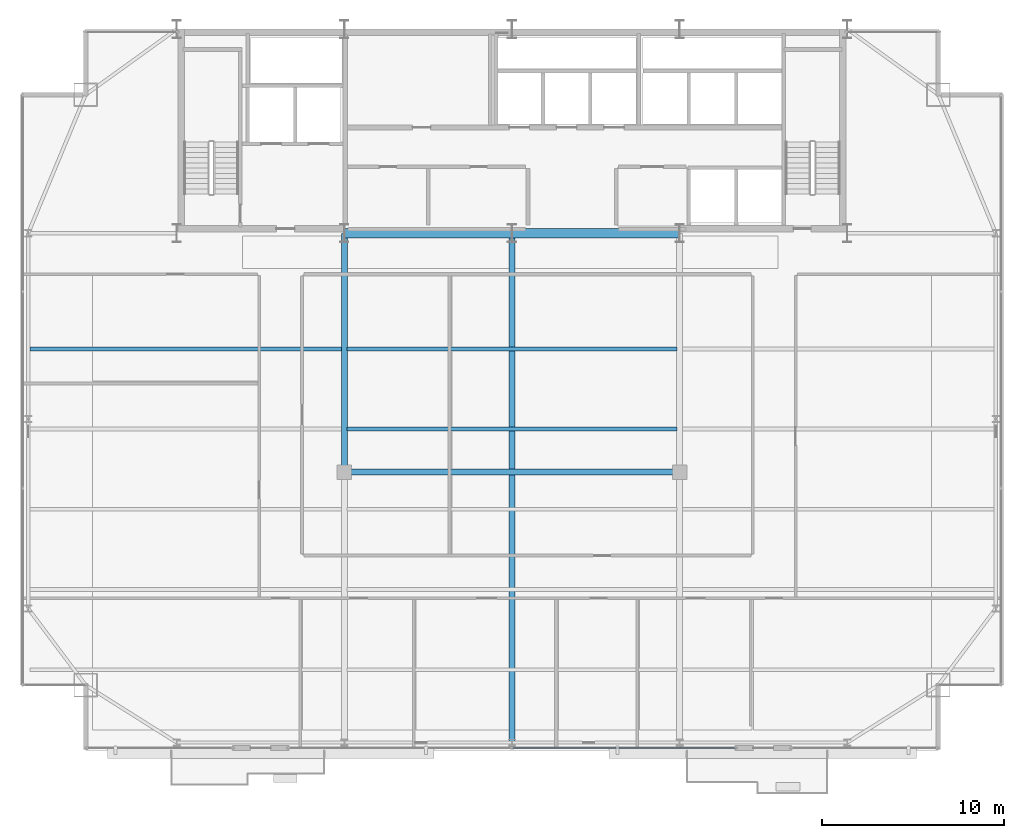
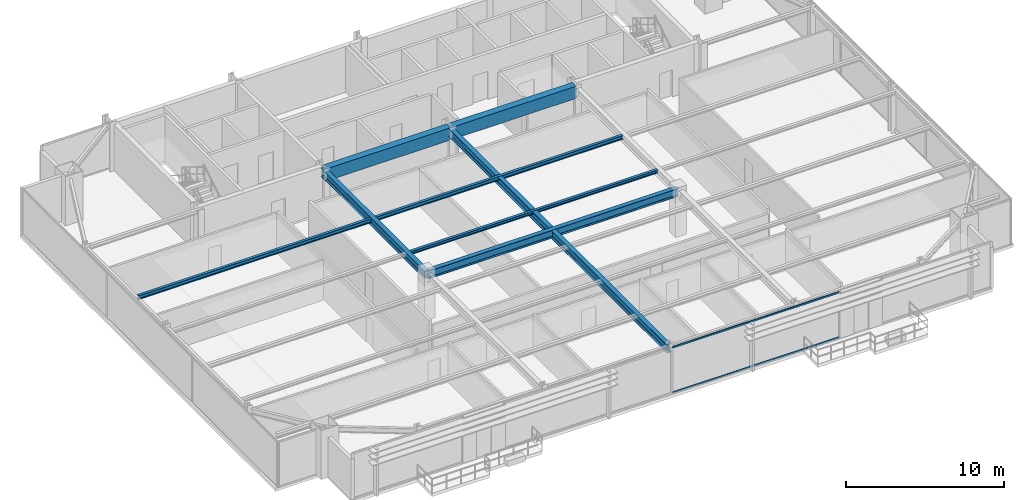
# One storey, part 12 of 30: 8 beams, 2 members, 1 element without a shape of its own.
"""IFC4 building model written with IfcOpenShell, lengths in metres."""

from ifc_helpers import new_model, si_unit, direction, frame, origin, origin_2d, place, context, subcontext, project, spatial, rectangle, hollow_rectangle, i_section, extrude, source, transform, mapped, material, layer, layer_set, material_profile, profile_set, type_object, type_shapes, element, aggregate, save


model = new_model("IFC4")

# Units and contexts
model_context = context("Model", 3, precision=1e-05, world=origin(), true_north=direction((0.0, 1.0)))
body_context = subcontext(model_context, "Body", "Model", "MODEL_VIEW")
ifc_project = project(units=[si_unit("LENGTHUNIT", "METRE"), si_unit("AREAUNIT", "SQUARE_METRE"), si_unit("VOLUMEUNIT", "CUBIC_METRE"), si_unit("PLANEANGLEUNIT", "RADIAN"), si_unit("MASSUNIT", "GRAM", prefix="KILO")], contexts=[model_context])

# Site, building, storey
site_placement = place(None, origin())
site = spatial("IfcSite", under=ifc_project, at=site_placement, CompositionType="ELEMENT")
building_placement = place(site_placement, origin())
building = spatial("IfcBuilding", under=site, at=building_placement, Name="Varnel Quay Broadcast Tower", CompositionType="ELEMENT")
storey_placement = place(building_placement, frame((0.0, 0.0, 168.60009765625)))
storey = spatial("IfcBuildingStorey", under=building, at=storey_placement, Name="L41", CompositionType="ELEMENT", Elevation=168.60009765625)

# Beams
ifc_material_1 = material(Name="Structural Steel CSA G40.21 350W", Category="steel")
ifc_material_profile_1 = material_profile(ifc_material_1, i_section(OverallWidth=0.324951171875, OverallDepth=0.615966796875, WebThickness=0.013916015625, FlangeThickness=0.021484375, FilletRadius=0.01611328125, at=origin_2d()), Name="W610X174")
ifc_profile_set_1 = profile_set([ifc_material_profile_1], Name="Structural Steel CSA G40.21 350W")
beam_type_1 = type_object("IfcBeamType", Name="Girder_W610X174", PredefinedType="BEAM", material=ifc_profile_set_1)
shared_shape_1 = source(origin(), body_context, "Body", "SweptSolid", [
    extrude(i_section(OverallWidth=0.324951171875, OverallDepth=0.615966796875, WebThickness=0.013916015625, FlangeThickness=0.021484375, FilletRadius=0.01611328125, at=origin_2d()), origin(), (0.0, 0.0, 1.0), 13.070068359375),
])
beam_1_placement = place(storey_placement, frame((24.800048828125, 22.510009765625, 3.241943359375), z_axis=(0.0, 1.0, 0.0), x_axis=(-1.0, 0.0, 0.0)))
element("IfcBeam", 1, at=beam_1_placement, inside=storey, type_object=beam_type_1, Name="L41 Primary Girder IC-01-CC-S2", PredefinedType="BEAM", context=body_context, shape_type="MappedRepresentation", body=[
    mapped(shared_shape_1, transform((0.0, 0.0, 0.0), x_axis=(1.0, 0.0, 0.0), y_axis=(0.0, 1.0, 0.0), z_axis=(0.0, 0.0, 1.0), scale=1.0)),
])
shared_shape_2 = source(origin(), body_context, "Body", "SweptSolid", [
    extrude(i_section(OverallWidth=0.324951171875, OverallDepth=0.615966796875, WebThickness=0.013916015625, FlangeThickness=0.021484375, FilletRadius=0.01611328125, at=origin_2d()), origin(), (0.0, 0.0, 1.0), 18.35986328125),
])
beam_2_placement = place(storey_placement, frame((24.820068359375, 22.489990234375, 3.241943359375), z_axis=(1.0, 0.0, 0.0), x_axis=(0.0, 1.0, 0.0)))
element("IfcBeam", 2, at=beam_2_placement, inside=storey, type_object=beam_type_1, Name="L41 Interior Spine Girder", PredefinedType="BEAM", context=body_context, shape_type="MappedRepresentation", body=[
    mapped(shared_shape_2, transform((0.0, 0.0, 0.0), x_axis=(1.0, 0.0, 0.0), y_axis=(0.0, 1.0, 0.0), z_axis=(0.0, 0.0, 1.0), scale=1.0)),
])
shared_shape_3 = source(origin(), body_context, "Body", "SweptSolid", [
    extrude(i_section(OverallWidth=0.324951171875, OverallDepth=0.615966796875, WebThickness=0.013916015625, FlangeThickness=0.021484375, FilletRadius=0.01611328125, at=origin_2d()), origin(), (0.0, 0.0, 1.0), 27.91015625),
])
type_shapes(beam_type_1, [shared_shape_1, shared_shape_2, shared_shape_3])
beam_3_placement = place(storey_placement, frame((34.0, 7.669921875, 3.241943359375), z_axis=(0.0, 1.0, 0.0), x_axis=(-1.0, 0.0, 0.0)))
element("IfcBeam", 3, at=beam_3_placement, inside=storey, type_object=beam_type_1, Name="L41 Central Bay Girder", PredefinedType="BEAM", context=body_context, shape_type="MappedRepresentation", body=[
    mapped(shared_shape_3, transform((0.0, 0.0, 0.0), x_axis=(1.0, 0.0, 0.0), y_axis=(0.0, 1.0, 0.0), z_axis=(0.0, 0.0, 1.0), scale=1.0)),
])
ifc_material_2 = material(Name="Concrete CSA A23.3 C50/60", Category="concrete")
ifc_material_profile_2 = material_profile(ifc_material_2, rectangle(XDim=0.5, YDim=0.949951171875, at=origin_2d()), Name="RC500X950")
ifc_profile_set_2 = profile_set([ifc_material_profile_2], Name="Concrete CSA A23.3 C50/60")
beam_type_2 = type_object("IfcBeamType", Name="Beam_RC500X950", PredefinedType="BEAM", material=ifc_profile_set_2)
shared_shape_4 = source(origin(), body_context, "Body", "SweptSolid", [
    extrude(rectangle(XDim=0.5, YDim=0.949951171875, at=origin_2d()), origin(), (0.0, 0.0, 1.0), 9.159912109375),
])
type_shapes(beam_type_2, [shared_shape_4])
for number, where, z_axis, x_axis, name in (
    (4, (24.820068359375, 35.60009765625, 3.074951171875), (1.0, 0.0, 0.0), (0.0, 1.0, 0.0), "L41 Core Coupling Beam W"),
    (5, (34.02001953125, 35.60009765625, 3.074951171875), (1.0, 0.0, 0.0), (0.0, 1.0, 0.0), "L41 Core Coupling Beam E"),
):
    element("IfcBeam", number, at=place(storey_placement, frame(where, z_axis=z_axis, x_axis=x_axis)), inside=storey, type_object=beam_type_2, Name=name, PredefinedType="BEAM", context=body_context, shape_type="MappedRepresentation", body=[
        mapped(shared_shape_4, transform((0.0, 0.0, 0.0), x_axis=(1.0, 0.0, 0.0), y_axis=(0.0, 1.0, 0.0), z_axis=(0.0, 0.0, 1.0), scale=1.0)),
    ])
ifc_material_profile_3 = material_profile(ifc_material_1, i_section(OverallWidth=0.202880859375, OverallDepth=0.302978515625, WebThickness=0.007568359375, FlangeThickness=0.01318359375, FilletRadius=0.011962890625, at=origin_2d()), Name="W310X60")
ifc_profile_set_3 = profile_set([ifc_material_profile_3], Name="Structural Steel CSA G40.21 350W")
beam_type_3 = type_object("IfcBeamType", Name="Beam_W310X60", PredefinedType="JOIST", material=ifc_profile_set_3)
shared_shape_5 = source(origin(), body_context, "Body", "SweptSolid", [
    extrude(i_section(OverallWidth=0.202880859375, OverallDepth=0.302978515625, WebThickness=0.007568359375, FlangeThickness=0.01318359375, FilletRadius=0.011962890625, at=origin_2d()), origin(), (0.0, 0.0, 1.0), 17.107177734375),
])
beam_4_placement = place(storey_placement, frame((7.535400390625, 29.25, 3.3984375), z_axis=(1.0, 0.0, 0.0), x_axis=(0.0, 1.0, 0.0)))
element("IfcBeam", 6, at=beam_4_placement, inside=storey, type_object=beam_type_3, Name="L41 West Floor Joist 5", PredefinedType="JOIST", context=body_context, shape_type="MappedRepresentation", body=[
    mapped(shared_shape_5, transform((0.0, 0.0, 0.0), x_axis=(1.0, 0.0, 0.0), y_axis=(0.0, 1.0, 0.0), z_axis=(0.0, 0.0, 1.0), scale=1.0)),
])
shared_shape_6 = source(origin(), body_context, "Body", "SweptSolid", [
    extrude(i_section(OverallWidth=0.202880859375, OverallDepth=0.302978515625, WebThickness=0.007568359375, FlangeThickness=0.01318359375, FilletRadius=0.011962890625, at=origin_2d()), origin(), (0.0, 0.0, 1.0), 18.0849609375),
])
type_shapes(beam_type_3, [shared_shape_5, shared_shape_6])
beam_5_placement = place(storey_placement, frame((24.95751953125, 29.25, 3.3984375), z_axis=(1.0, 0.0, 0.0), x_axis=(0.0, 1.0, 0.0)))
element("IfcBeam", 7, at=beam_5_placement, inside=storey, type_object=beam_type_3, Name="L41 Central Floor Joist 5", PredefinedType="JOIST", context=body_context, shape_type="MappedRepresentation", body=[
    mapped(shared_shape_6, transform((0.0, 0.0, 0.0), x_axis=(1.0, 0.0, 0.0), y_axis=(0.0, 1.0, 0.0), z_axis=(0.0, 0.0, 1.0), scale=1.0)),
])
ifc_material_profile_4 = material_profile(ifc_material_1, i_section(OverallWidth=0.201904296875, OverallDepth=0.2470703125, WebThickness=0.00732421875, FlangeThickness=0.010986328125, FilletRadius=0.010986328125, at=origin_2d()), Name="W250X49")
ifc_profile_set_4 = profile_set([ifc_material_profile_4], Name="Structural Steel CSA G40.21 350W")
beam_type_4 = type_object("IfcBeamType", Name="Beam_W250X49", PredefinedType="JOIST", material=ifc_profile_set_4)
shared_shape_7 = source(origin(), body_context, "Body", "SweptSolid", [
    extrude(i_section(OverallWidth=0.201904296875, OverallDepth=0.2470703125, WebThickness=0.00732421875, FlangeThickness=0.010986328125, FilletRadius=0.010986328125, at=origin_2d()), origin(), (0.0, 0.0, 1.0), 18.0849609375),
])
type_shapes(beam_type_4, [shared_shape_7])
beam_6_placement = place(storey_placement, frame((24.95751953125, 24.85009765625, 3.426513671875), z_axis=(1.0, 0.0, 0.0), x_axis=(0.0, 1.0, 0.0)))
element("IfcBeam", 8, at=beam_6_placement, inside=storey, type_object=beam_type_4, Name="L41 Central Floor Joist 4", PredefinedType="JOIST", context=body_context, shape_type="MappedRepresentation", body=[
    mapped(shared_shape_7, transform((0.0, 0.0, 0.0), x_axis=(1.0, 0.0, 0.0), y_axis=(0.0, 1.0, 0.0), z_axis=(0.0, 0.0, 1.0), scale=1.0)),
])

# Curtain wall, members
ifc_material_3 = material(Name="Anodised Bronze Aluminium 6063-T6", Category="aluminium")
ifc_layer = layer(ifc_material_3, 0.18994140625, Name="Anodised Bronze Aluminium 6063-T6")
ifc_layer_set = layer_set([ifc_layer], Name="Anodised Bronze Aluminium 6063-T6")
curtain_wall_type = type_object("IfcCurtainWallType", Name="CW_UpperTower", PredefinedType="NOTDEFINED", material=ifc_layer_set)
curtain_wall_placement = place(storey_placement, origin())
curtain_wall = element("IfcCurtainWall", 9, at=curtain_wall_placement, inside=storey, type_object=curtain_wall_type, Name="L41 South Unitised Curtain Wall 2", PredefinedType="NOTDEFINED")
ifc_material_profile_5 = material_profile(ifc_material_3, hollow_rectangle(XDim=0.06005859375, YDim=0.125, WallThickness=0.0029296875, at=origin_2d()), Name="ALU60X125X3")
ifc_profile_set_5 = profile_set([ifc_material_profile_5], Name="Anodised Bronze Aluminium 6063-T6")
member_type = type_object("IfcMemberType", Name="Tran_CWS-03", PredefinedType="USERDEFINED", material=ifc_profile_set_5)
shared_shape_8 = source(origin(), body_context, "Body", "SweptSolid", [
    extrude(hollow_rectangle(XDim=0.06005859375, YDim=0.125, WallThickness=0.0029296875, at=origin_2d()), origin(), (0.0, 0.0, 1.0), 12.222412109375),
])
type_shapes(member_type, [shared_shape_8])
member_1_placement = place(storey_placement, frame((34.032470703125, 7.35009765625, 0.02978515625), z_axis=(1.0, 0.0, 0.0), x_axis=(0.0, 1.0, 0.0)))
member_1 = element("IfcMember", 10, at=member_1_placement, type_object=member_type, Name="CWS-03 transom 2.1", ObjectType="TRANSOM", PredefinedType="USERDEFINED", context=body_context, shape_type="MappedRepresentation", body=[
    mapped(shared_shape_8, transform((0.0, 0.0, 0.0), x_axis=(1.0, 0.0, 0.0), y_axis=(0.0, 1.0, 0.0), z_axis=(0.0, 0.0, 1.0), scale=1.0)),
])
member_2_placement = place(storey_placement, frame((34.032470703125, 7.35009765625, 3.52001953125), z_axis=(1.0, 0.0, 0.0), x_axis=(0.0, 1.0, 0.0)))
member_2 = element("IfcMember", 11, at=member_2_placement, type_object=member_type, Name="CWS-03 transom 2.2", ObjectType="TRANSOM", PredefinedType="USERDEFINED", context=body_context, shape_type="MappedRepresentation", body=[
    mapped(shared_shape_8, transform((0.0, 0.0, 0.0), x_axis=(1.0, 0.0, 0.0), y_axis=(0.0, 1.0, 0.0), z_axis=(0.0, 0.0, 1.0), scale=1.0)),
])
aggregate(curtain_wall, [member_1, member_2])

save(model, "model.ifc")
